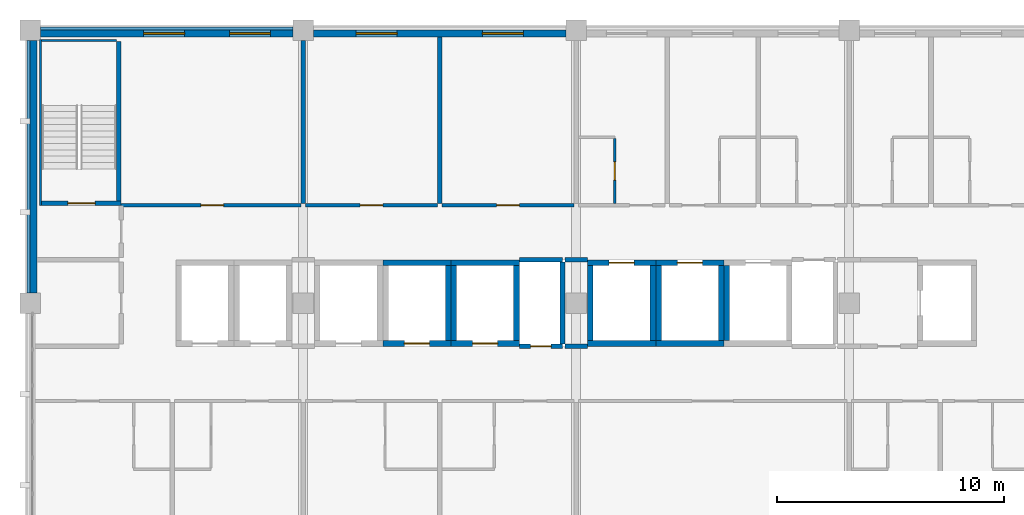
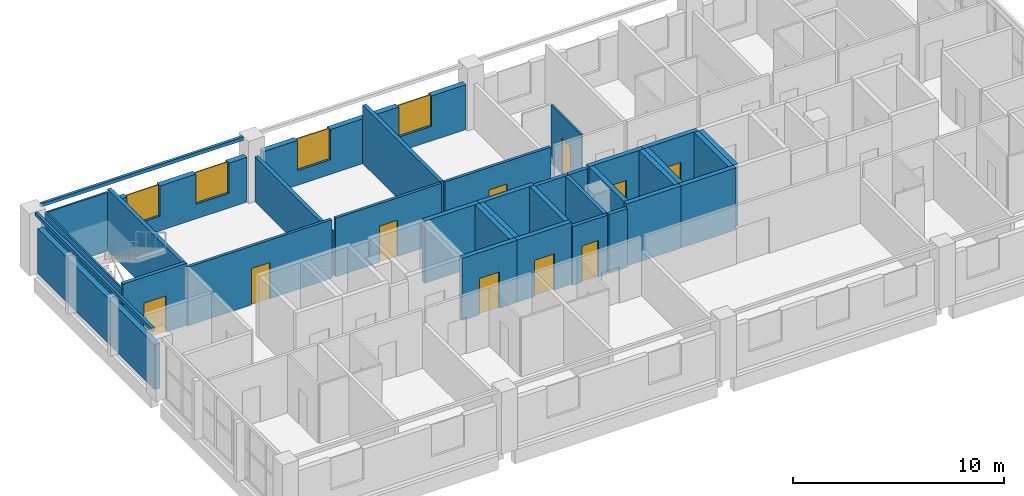
# One storey, part 7 of 11: 36 walls, 10 doors, 4 windows, 14 openings.
"""IFC4 building model written with IfcOpenShell, lengths in metres."""

from ifc_helpers import new_model, si_unit, direction, frame, frame_2d, origin, place, context, subcontext, project, spatial, rectangle, extrude, material, layer, layer_set, type_object, element, fill, save


model = new_model("IFC4")

# Units and contexts
model_context = context("Model", 3, precision=1e-05, world=origin(), true_north=direction((0.0, 1.0)))
body_context = subcontext(model_context, "Body", "Model", "MODEL_VIEW")
ifc_project = project(units=[si_unit("LENGTHUNIT", "METRE"), si_unit("AREAUNIT", "SQUARE_METRE"), si_unit("VOLUMEUNIT", "CUBIC_METRE"), si_unit("PLANEANGLEUNIT", "RADIAN"), si_unit("MASSUNIT", "GRAM", prefix="KILO")], contexts=[model_context])

# Site, building, storey
site_placement = place(None, origin())
site = spatial("IfcSite", under=ifc_project, at=site_placement, CompositionType="ELEMENT")
building_placement = place(site_placement, origin())
building = spatial("IfcBuilding", under=site, at=building_placement, Name="Lilac Gate Convention Centre", CompositionType="ELEMENT")
storey_placement = place(building_placement, frame((0.0, 0.0, 31.800048828125)))
storey = spatial("IfcBuildingStorey", under=building, at=storey_placement, Name="L07", CompositionType="ELEMENT", Elevation=31.800048828125)

# Walls
ifc_material_1 = material(Name="Concrete C50", Category="concrete")
ifc_layer_1 = layer(ifc_material_1, 0.10009765625)
ifc_layer_set_1 = layer_set([ifc_layer_1], Name="Concrete C50")
wall_type_1 = type_object("IfcWallType", Name="Core wall 100 C50", PredefinedType="SHEAR", material=ifc_layer_set_1)
wall_1_placement = place(storey_placement, frame((42.449951171875, 238.300048828125, 0.0), z_axis=(0.0, 0.0, 1.0), x_axis=(0.0, 1.0, 0.0)))
element("IfcWall", 1, at=wall_1_placement, inside=storey, type_object=wall_type_1, Name="CRW9 core wall TS-WX L07 1", PredefinedType="SHEAR", context=body_context, shape_type="SweptSolid", body=[
    extrude(rectangle(XDim=7.300048828125, YDim=0.10009765625, at=frame_2d((3.64990234375, 0.0))), origin(), (0.0, 0.0, 1.0), 3.39990234375),
])
wall_2_placement = place(storey_placement, frame((42.5, 245.550048828125, 0.0), z_axis=(0.0, 0.0, 1.0), x_axis=(1.0, 0.0, 0.0)))
element("IfcWall", 2, at=wall_2_placement, inside=storey, type_object=wall_type_1, Name="CRW9 core wall TS-WX L07 2", PredefinedType="SHEAR", context=body_context, shape_type="SweptSolid", body=[
    extrude(rectangle(XDim=3.300048828125, YDim=0.10009765625, at=frame_2d((1.64990234375, 0.0))), origin(), (0.0, 0.0, 1.0), 3.39990234375),
])

# Wall, opening, door
ifc_layer_2 = layer(ifc_material_1, 0.199951171875)
ifc_layer_set_2 = layer_set([ifc_layer_2], Name="Concrete C50")
wall_type_2 = type_object("IfcWallType", Name="Core wall 200 C50", PredefinedType="SHEAR", material=ifc_layer_set_2)
wall_3_placement = place(storey_placement, frame((42.5, 238.39990234375, 0.0), z_axis=(0.0, 0.0, 1.0), x_axis=(1.0, 0.0, 0.0)))
wall_3 = element("IfcWall", 3, at=wall_3_placement, inside=storey, type_object=wall_type_2, Name="CRW6 core wall TS-W L07 1", PredefinedType="SHEAR", context=body_context, shape_type="SweptSolid", body=[
    extrude(rectangle(XDim=3.5, YDim=0.199951171875, at=frame_2d((1.75, 0.0))), origin(), (0.0, 0.0, 1.0), 3.599853515625),
])
opening_1_placement = place(wall_3_placement, frame((1.14990234375, 0.0, 0.0)))
opening_1 = element("IfcOpeningElement", 4, at=opening_1_placement, cuts=wall_3, Name="Opening T07-045", PredefinedType="OPENING", context=body_context, shape_type="SweptSolid", body=[
    extrude(rectangle(XDim=1.199951171875, YDim=2.10009765625, at=frame_2d((0.60009765625, 1.050048828125))), frame((0.0, 0.10986328125, 0.0), z_axis=(0.0, -1.0, 0.0), x_axis=(1.0, 0.0, 0.0)), (0.0, 0.0, 1.0), 0.219970703125),
])
ifc_material_2 = material(Name="Steel Q235B", Category="steel")
door_type_1 = type_object("IfcDoorType", Name="Stair door 1200", OperationType="SINGLE_SWING_LEFT", PredefinedType="DOOR", material=ifc_material_2)
door_1_placement = place(opening_1_placement, origin())
door_1 = element("IfcDoor", 5, at=door_1_placement, inside=storey, type_object=door_type_1, Name="Stair door NW L07", OperationType="SINGLE_SWING_RIGHT", OverallHeight=2.10009765625, OverallWidth=1.199951171875, PredefinedType="DOOR", context=body_context, shape_type="SweptSolid", body=[
    extrude(rectangle(XDim=1.199951171875, YDim=2.10009765625, at=frame_2d((0.60009765625, 1.050048828125))), frame((0.0, 0.02490234375, 0.0), z_axis=(0.0, -1.0, 0.0), x_axis=(1.0, 0.0, 0.0)), (0.0, 0.0, 1.0), 0.050048828125),
])
fill(opening_1, door_1)

# Wall
wall_4_placement = place(storey_placement, frame((45.89990234375, 238.5, 0.0), z_axis=(0.0, 0.0, 1.0), x_axis=(0.0, 1.0, 0.0)))
element("IfcWall", 6, at=wall_4_placement, inside=storey, type_object=wall_type_2, Name="CRW6 core wall TS-W L07 2", PredefinedType="SHEAR", context=body_context, shape_type="SweptSolid", body=[
    extrude(rectangle(XDim=7.0, YDim=0.199951171875, at=frame_2d((3.5, 0.0))), origin(), (0.0, 0.0, 1.0), 3.599853515625),
])

# Wall, opening, door
ifc_layer_3 = layer(ifc_material_1, 0.25)
ifc_layer_set_3 = layer_set([ifc_layer_3], Name="Concrete C50")
wall_type_3 = type_object("IfcWallType", Name="Core wall 250 C50", PredefinedType="SHEAR", material=ifc_layer_set_3)
wall_5_placement = place(storey_placement, frame((57.5, 232.22509765625, 0.0), z_axis=(0.0, 0.0, 1.0), x_axis=(1.0, 0.0, 0.0)))
wall_5 = element("IfcWall", 7, at=wall_5_placement, inside=storey, type_object=wall_type_3, Name="CRW4 core wall TC L07 5", PredefinedType="SHEAR", context=body_context, shape_type="SweptSolid", body=[
    extrude(rectangle(XDim=3.0, YDim=0.25, at=frame_2d((1.5, 0.0))), origin(), (0.0, 0.0, 1.0), 3.599853515625),
])
opening_2_placement = place(wall_5_placement, frame((0.949951171875, 0.0, 0.0)))
opening_2 = element("IfcOpeningElement", 8, at=opening_2_placement, cuts=wall_5, Name="Opening T07-037", PredefinedType="OPENING", context=body_context, shape_type="SweptSolid", body=[
    extrude(rectangle(XDim=1.10009765625, YDim=2.10009765625, at=frame_2d((0.550048828125, 1.050048828125))), frame((0.0, 0.135009765625, 0.0), z_axis=(0.0, -1.0, 0.0), x_axis=(1.0, 0.0, 0.0)), (0.0, 0.0, 1.0), 0.27001953125),
])
ifc_material_3 = material(Name="Stainless steel 304", Category="steel")
door_type_2 = type_object("IfcDoorType", Name="Lift landing door 1100", OperationType="SLIDING_TO_LEFT", PredefinedType="DOOR", material=ifc_material_3)
door_2_placement = place(opening_2_placement, origin())
door_2 = element("IfcDoor", 9, at=door_2_placement, inside=storey, type_object=door_type_2, Name="Lift landing door TP2 L07", OperationType="SLIDING_TO_LEFT", OverallHeight=2.10009765625, OverallWidth=1.10009765625, PredefinedType="DOOR", context=body_context, shape_type="SweptSolid", body=[
    extrude(rectangle(XDim=1.10009765625, YDim=2.10009765625, at=frame_2d((0.550048828125, 1.050048828125))), frame((0.0, 0.02490234375, 0.0), z_axis=(0.0, -1.0, 0.0), x_axis=(1.0, 0.0, 0.0)), (0.0, 0.0, 1.0), 0.050048828125),
])
fill(opening_2, door_2)

# Walls
wall_6_placement = place(storey_placement, frame((57.5, 235.77490234375, 0.0), z_axis=(0.0, 0.0, 1.0), x_axis=(1.0, 0.0, 0.0)))
element("IfcWall", 10, at=wall_6_placement, inside=storey, type_object=wall_type_3, Name="CRW4 core wall TC L07 6", PredefinedType="SHEAR", context=body_context, shape_type="SweptSolid", body=[
    extrude(rectangle(XDim=3.0, YDim=0.25, at=frame_2d((1.5, 0.0))), origin(), (0.0, 0.0, 1.0), 3.599853515625),
])
wall_7_placement = place(storey_placement, frame((60.375, 232.35009765625, 0.0), z_axis=(0.0, 0.0, 1.0), x_axis=(0.0, 1.0, 0.0)))
element("IfcWall", 11, at=wall_7_placement, inside=storey, type_object=wall_type_3, Name="CRW4 core wall TC L07 8", PredefinedType="SHEAR", context=body_context, shape_type="SweptSolid", body=[
    extrude(rectangle(XDim=3.2998046875, YDim=0.25, at=frame_2d((1.64990234375, 0.0))), origin(), (0.0, 0.0, 1.0), 3.599853515625),
])

# Wall, opening, door
wall_8_placement = place(storey_placement, frame((60.5, 232.22509765625, 0.0), z_axis=(0.0, 0.0, 1.0), x_axis=(1.0, 0.0, 0.0)))
wall_8 = element("IfcWall", 12, at=wall_8_placement, inside=storey, type_object=wall_type_3, Name="CRW4 core wall TC L07 9", PredefinedType="SHEAR", context=body_context, shape_type="SweptSolid", body=[
    extrude(rectangle(XDim=3.0, YDim=0.25, at=frame_2d((1.5, 0.0))), origin(), (0.0, 0.0, 1.0), 3.599853515625),
])
opening_3_placement = place(wall_8_placement, frame((0.949951171875, 0.0, 0.0)))
opening_3 = element("IfcOpeningElement", 13, at=opening_3_placement, cuts=wall_8, Name="Opening T07-038", PredefinedType="OPENING", context=body_context, shape_type="SweptSolid", body=[
    extrude(rectangle(XDim=1.10009765625, YDim=2.10009765625, at=frame_2d((0.550048828125, 1.050048828125))), frame((0.0, 0.135009765625, 0.0), z_axis=(0.0, -1.0, 0.0), x_axis=(1.0, 0.0, 0.0)), (0.0, 0.0, 1.0), 0.27001953125),
])
door_3_placement = place(opening_3_placement, origin())
door_3 = element("IfcDoor", 14, at=door_3_placement, inside=storey, type_object=door_type_2, Name="Lift landing door TP3 L07", OperationType="SLIDING_TO_LEFT", OverallHeight=2.10009765625, OverallWidth=1.10009765625, PredefinedType="DOOR", context=body_context, shape_type="SweptSolid", body=[
    extrude(rectangle(XDim=1.10009765625, YDim=2.10009765625, at=frame_2d((0.550048828125, 1.050048828125))), frame((0.0, 0.02490234375, 0.0), z_axis=(0.0, -1.0, 0.0), x_axis=(1.0, 0.0, 0.0)), (0.0, 0.0, 1.0), 0.050048828125),
])
fill(opening_3, door_3)

# Walls
wall_9_placement = place(storey_placement, frame((60.5, 235.77490234375, 0.0), z_axis=(0.0, 0.0, 1.0), x_axis=(1.0, 0.0, 0.0)))
element("IfcWall", 15, at=wall_9_placement, inside=storey, type_object=wall_type_3, Name="CRW4 core wall TC L07 10", PredefinedType="SHEAR", context=body_context, shape_type="SweptSolid", body=[
    extrude(rectangle(XDim=3.0, YDim=0.25, at=frame_2d((1.5, 0.0))), origin(), (0.0, 0.0, 1.0), 3.599853515625),
])
for number, where, z_axis, x_axis, name in (
    (16, (60.625, 232.35009765625, 0.0), (0.0, 0.0, 1.0), (0.0, 1.0, 0.0), "CRW4 core wall TC L07 11"),
    (17, (63.375, 232.35009765625, 0.0), (0.0, 0.0, 1.0), (0.0, 1.0, 0.0), "CRW4 core wall TC L07 12"),
):
    element("IfcWall", number, at=place(storey_placement, frame(where, z_axis=z_axis, x_axis=x_axis)), inside=storey, type_object=wall_type_3, Name=name, PredefinedType="SHEAR", context=body_context, shape_type="SweptSolid", body=[
        extrude(rectangle(XDim=3.2998046875, YDim=0.25, at=frame_2d((1.64990234375, 0.0))), origin(), (0.0, 0.0, 1.0), 3.599853515625),
    ])
wall_10_placement = place(storey_placement, frame((66.5, 232.22509765625, 0.0), z_axis=(0.0, 0.0, 1.0), x_axis=(1.0, 0.0, 0.0)))
element("IfcWall", 18, at=wall_10_placement, inside=storey, type_object=wall_type_3, Name="CRW4 core wall TC L07 13", PredefinedType="SHEAR", context=body_context, shape_type="SweptSolid", body=[
    extrude(rectangle(XDim=3.0, YDim=0.25, at=frame_2d((1.5, 0.0))), origin(), (0.0, 0.0, 1.0), 3.599853515625),
])

# Wall, opening, door
wall_11_placement = place(storey_placement, frame((66.5, 235.77490234375, 0.0), z_axis=(0.0, 0.0, 1.0), x_axis=(1.0, 0.0, 0.0)))
wall_11 = element("IfcWall", 19, at=wall_11_placement, inside=storey, type_object=wall_type_3, Name="CRW4 core wall TC L07 14", PredefinedType="SHEAR", context=body_context, shape_type="SweptSolid", body=[
    extrude(rectangle(XDim=3.0, YDim=0.25, at=frame_2d((1.5, 0.0))), origin(), (0.0, 0.0, 1.0), 3.599853515625),
])
opening_4_placement = place(wall_11_placement, frame((0.949951171875, 0.0, 0.0)))
opening_4 = element("IfcOpeningElement", 20, at=opening_4_placement, cuts=wall_11, Name="Opening T07-039", PredefinedType="OPENING", context=body_context, shape_type="SweptSolid", body=[
    extrude(rectangle(XDim=1.10009765625, YDim=2.10009765625, at=frame_2d((0.550048828125, 1.050048828125))), frame((0.0, 0.135009765625, 0.0), z_axis=(0.0, -1.0, 0.0), x_axis=(1.0, 0.0, 0.0)), (0.0, 0.0, 1.0), 0.27001953125),
])
door_4_placement = place(opening_4_placement, origin())
door_4 = element("IfcDoor", 21, at=door_4_placement, inside=storey, type_object=door_type_2, Name="Lift landing door TP4 L07", OperationType="SLIDING_TO_LEFT", OverallHeight=2.10009765625, OverallWidth=1.10009765625, PredefinedType="DOOR", context=body_context, shape_type="SweptSolid", body=[
    extrude(rectangle(XDim=1.10009765625, YDim=2.10009765625, at=frame_2d((0.550048828125, 1.050048828125))), frame((0.0, 0.02490234375, 0.0), z_axis=(0.0, -1.0, 0.0), x_axis=(1.0, 0.0, 0.0)), (0.0, 0.0, 1.0), 0.050048828125),
])
fill(opening_4, door_4)

# Walls
for number, where, z_axis, x_axis, name in (
    (22, (66.625, 232.35009765625, 0.0), (0.0, 0.0, 1.0), (0.0, 1.0, 0.0), "CRW4 core wall TC L07 15"),
    (23, (69.375, 232.35009765625, 0.0), (0.0, 0.0, 1.0), (0.0, 1.0, 0.0), "CRW4 core wall TC L07 16"),
):
    element("IfcWall", number, at=place(storey_placement, frame(where, z_axis=z_axis, x_axis=x_axis)), inside=storey, type_object=wall_type_3, Name=name, PredefinedType="SHEAR", context=body_context, shape_type="SweptSolid", body=[
        extrude(rectangle(XDim=3.2998046875, YDim=0.25, at=frame_2d((1.64990234375, 0.0))), origin(), (0.0, 0.0, 1.0), 3.599853515625),
    ])
wall_12_placement = place(storey_placement, frame((69.5, 232.22509765625, 0.0), z_axis=(0.0, 0.0, 1.0), x_axis=(1.0, 0.0, 0.0)))
element("IfcWall", 24, at=wall_12_placement, inside=storey, type_object=wall_type_3, Name="CRW4 core wall TC L07 17", PredefinedType="SHEAR", context=body_context, shape_type="SweptSolid", body=[
    extrude(rectangle(XDim=3.0, YDim=0.25, at=frame_2d((1.5, 0.0))), origin(), (0.0, 0.0, 1.0), 3.599853515625),
])

# Wall, opening, door
wall_13_placement = place(storey_placement, frame((69.5, 235.77490234375, 0.0), z_axis=(0.0, 0.0, 1.0), x_axis=(1.0, 0.0, 0.0)))
wall_13 = element("IfcWall", 25, at=wall_13_placement, inside=storey, type_object=wall_type_3, Name="CRW4 core wall TC L07 18", PredefinedType="SHEAR", context=body_context, shape_type="SweptSolid", body=[
    extrude(rectangle(XDim=3.0, YDim=0.25, at=frame_2d((1.5, 0.0))), origin(), (0.0, 0.0, 1.0), 3.599853515625),
])
opening_5_placement = place(wall_13_placement, frame((0.949951171875, 0.0, 0.0)))
opening_5 = element("IfcOpeningElement", 26, at=opening_5_placement, cuts=wall_13, Name="Opening T07-040", PredefinedType="OPENING", context=body_context, shape_type="SweptSolid", body=[
    extrude(rectangle(XDim=1.10009765625, YDim=2.10009765625, at=frame_2d((0.550048828125, 1.050048828125))), frame((0.0, 0.135009765625, 0.0), z_axis=(0.0, -1.0, 0.0), x_axis=(1.0, 0.0, 0.0)), (0.0, 0.0, 1.0), 0.27001953125),
])
door_5_placement = place(opening_5_placement, origin())
door_5 = element("IfcDoor", 27, at=door_5_placement, inside=storey, type_object=door_type_2, Name="Lift landing door TP5 L07", OperationType="SLIDING_TO_LEFT", OverallHeight=2.10009765625, OverallWidth=1.10009765625, PredefinedType="DOOR", context=body_context, shape_type="SweptSolid", body=[
    extrude(rectangle(XDim=1.10009765625, YDim=2.10009765625, at=frame_2d((0.550048828125, 1.050048828125))), frame((0.0, 0.02490234375, 0.0), z_axis=(0.0, -1.0, 0.0), x_axis=(1.0, 0.0, 0.0)), (0.0, 0.0, 1.0), 0.050048828125),
])
fill(opening_5, door_5)

# Walls
for number, where, z_axis, x_axis, name in (
    (28, (69.625, 232.35009765625, 0.0), (0.0, 0.0, 1.0), (0.0, 1.0, 0.0), "CRW4 core wall TC L07 19"),
    (29, (72.375, 232.35009765625, 0.0), (0.0, 0.0, 1.0), (0.0, 1.0, 0.0), "CRW4 core wall TC L07 20"),
    (30, (72.625, 232.35009765625, 0.0), (0.0, 0.0, 1.0), (0.0, 1.0, 0.0), "CRW4 core wall TC L07 23"),
):
    element("IfcWall", number, at=place(storey_placement, frame(where, z_axis=z_axis, x_axis=x_axis)), inside=storey, type_object=wall_type_3, Name=name, PredefinedType="SHEAR", context=body_context, shape_type="SweptSolid", body=[
        extrude(rectangle(XDim=3.2998046875, YDim=0.25, at=frame_2d((1.64990234375, 0.0))), origin(), (0.0, 0.0, 1.0), 3.599853515625),
    ])

# Wall, opening, door
ifc_material_4 = material(Name="Gypsum board on steel stud", Category="steel")
ifc_layer_4 = layer(ifc_material_4, 0.14990234375)
ifc_layer_set_4 = layer_set([ifc_layer_4], Name="Gypsum board on steel stud")
wall_type_4 = type_object("IfcWallType", Name="Corridor wall 150", PredefinedType="PARTITIONING", material=ifc_layer_set_4)
wall_14_placement = place(storey_placement, frame((46.0, 238.300048828125, 0.0), z_axis=(0.0, 0.0, 1.0), x_axis=(1.0, 0.0, 0.0)))
wall_14 = element("IfcWall", 31, at=wall_14_placement, inside=storey, type_object=wall_type_4, Name="Corridor wall 150 front 0708", PredefinedType="PARTITIONING", context=body_context, shape_type="SweptSolid", body=[
    extrude(rectangle(XDim=7.89990234375, YDim=0.14990234375, at=frame_2d((3.949951171875, 0.0))), origin(), (0.0, 0.0, 1.0), 3.39990234375),
])
opening_6_placement = place(wall_14_placement, frame((3.5, 0.0, 0.0)))
opening_6 = element("IfcOpeningElement", 32, at=opening_6_placement, cuts=wall_14, Name="Opening T07-021", PredefinedType="OPENING", context=body_context, shape_type="SweptSolid", body=[
    extrude(rectangle(XDim=1.0, YDim=2.10009765625, at=frame_2d((0.5, 1.050048828125))), frame((0.0, 0.0849609375, 0.0), z_axis=(0.0, -1.0, 0.0), x_axis=(1.0, 0.0, 0.0)), (0.0, 0.0, 1.0), 0.169921875),
])
ifc_material_5 = material(Name="Timber", Category="wood")
door_type_3 = type_object("IfcDoorType", Name="Room door 1000", OperationType="SINGLE_SWING_LEFT", PredefinedType="DOOR", material=ifc_material_5)
door_6_placement = place(opening_6_placement, origin())
door_6 = element("IfcDoor", 33, at=door_6_placement, inside=storey, type_object=door_type_3, Name="Business Centre door", OperationType="SINGLE_SWING_RIGHT", OverallHeight=2.10009765625, OverallWidth=1.0, PredefinedType="DOOR", context=body_context, shape_type="SweptSolid", body=[
    extrude(rectangle(XDim=1.0, YDim=2.10009765625, at=frame_2d((0.5, 1.050048828125))), frame((0.0, 0.02490234375, 0.0), z_axis=(0.0, -1.0, 0.0), x_axis=(1.0, 0.0, 0.0)), (0.0, 0.0, 1.0), 0.050048828125),
])
fill(opening_6, door_6)

wall_15_placement = place(storey_placement, frame((54.10009765625, 238.300048828125, 0.0), z_axis=(0.0, 0.0, 1.0), x_axis=(1.0, 0.0, 0.0)))
wall_15 = element("IfcWall", 34, at=wall_15_placement, inside=storey, type_object=wall_type_4, Name="Corridor wall 150 front 0709", PredefinedType="PARTITIONING", context=body_context, shape_type="SweptSolid", body=[
    extrude(rectangle(XDim=5.7998046875, YDim=0.14990234375, at=frame_2d((2.89990234375, 0.0))), origin(), (0.0, 0.0, 1.0), 3.39990234375),
])
opening_7_placement = place(wall_15_placement, frame((2.39990234375, 0.0, 0.0)))
opening_7 = element("IfcOpeningElement", 35, at=opening_7_placement, cuts=wall_15, Name="Opening T07-022", PredefinedType="OPENING", context=body_context, shape_type="SweptSolid", body=[
    extrude(rectangle(XDim=1.0, YDim=2.10009765625, at=frame_2d((0.5, 1.050048828125))), frame((0.0, 0.0849609375, 0.0), z_axis=(0.0, -1.0, 0.0), x_axis=(1.0, 0.0, 0.0)), (0.0, 0.0, 1.0), 0.169921875),
])
door_7_placement = place(opening_7_placement, origin())
door_7 = element("IfcDoor", 36, at=door_7_placement, inside=storey, type_object=door_type_3, Name="Meeting Room door", OperationType="SINGLE_SWING_LEFT", OverallHeight=2.10009765625, OverallWidth=1.0, PredefinedType="DOOR", context=body_context, shape_type="SweptSolid", body=[
    extrude(rectangle(XDim=1.0, YDim=2.10009765625, at=frame_2d((0.5, 1.050048828125))), frame((0.0, 0.02490234375, 0.0), z_axis=(0.0, -1.0, 0.0), x_axis=(1.0, 0.0, 0.0)), (0.0, 0.0, 1.0), 0.050048828125),
])
fill(opening_7, door_7)

wall_16_placement = place(storey_placement, frame((60.10009765625, 238.300048828125, 0.0), z_axis=(0.0, 0.0, 1.0), x_axis=(1.0, 0.0, 0.0)))
wall_16 = element("IfcWall", 37, at=wall_16_placement, inside=storey, type_object=wall_type_4, Name="Corridor wall 150 front 0710", PredefinedType="PARTITIONING", context=body_context, shape_type="SweptSolid", body=[
    extrude(rectangle(XDim=5.7998046875, YDim=0.14990234375, at=frame_2d((2.89990234375, 0.0))), origin(), (0.0, 0.0, 1.0), 3.39990234375),
])
opening_8_placement = place(wall_16_placement, frame((2.39990234375, 0.0, 0.0)))
opening_8 = element("IfcOpeningElement", 38, at=opening_8_placement, cuts=wall_16, Name="Opening T07-023", PredefinedType="OPENING", context=body_context, shape_type="SweptSolid", body=[
    extrude(rectangle(XDim=1.0, YDim=2.10009765625, at=frame_2d((0.5, 1.050048828125))), frame((0.0, 0.0849609375, 0.0), z_axis=(0.0, -1.0, 0.0), x_axis=(1.0, 0.0, 0.0)), (0.0, 0.0, 1.0), 0.169921875),
])
door_8_placement = place(opening_8_placement, origin())
door_8 = element("IfcDoor", 39, at=door_8_placement, inside=storey, type_object=door_type_3, Name="Meeting Room door", OperationType="SINGLE_SWING_LEFT", OverallHeight=2.10009765625, OverallWidth=1.0, PredefinedType="DOOR", context=body_context, shape_type="SweptSolid", body=[
    extrude(rectangle(XDim=1.0, YDim=2.10009765625, at=frame_2d((0.5, 1.050048828125))), frame((0.0, 0.02490234375, 0.0), z_axis=(0.0, -1.0, 0.0), x_axis=(1.0, 0.0, 0.0)), (0.0, 0.0, 1.0), 0.050048828125),
])
fill(opening_8, door_8)

ifc_layer_5 = layer(ifc_material_4, 0.10009765625)
ifc_layer_set_5 = layer_set([ifc_layer_5], Name="Gypsum board on steel stud")
wall_type_5 = type_object("IfcWallType", Name="En-suite wall 100", PredefinedType="PARTITIONING", material=ifc_layer_set_5)
wall_17_placement = place(storey_placement, frame((67.699951171875, 241.25, 0.0), z_axis=(0.0, 0.0, 1.0), x_axis=(0.0, -1.0, 0.0)))
wall_17 = element("IfcWall", 40, at=wall_17_placement, inside=storey, type_object=wall_type_5, Name="En-suite wall 100 bath side 0711", PredefinedType="PARTITIONING", context=body_context, shape_type="SweptSolid", body=[
    extrude(rectangle(XDim=2.875, YDim=0.10009765625, at=frame_2d((1.4375, 0.0))), origin(), (0.0, 0.0, 1.0), 3.39990234375),
])
opening_9_placement = place(wall_17_placement, frame((1.03759765625, 0.0, 0.0)))
opening_9 = element("IfcOpeningElement", 41, at=opening_9_placement, cuts=wall_17, Name="Opening T07-025", PredefinedType="OPENING", context=body_context, shape_type="SweptSolid", body=[
    extrude(rectangle(XDim=0.800048828125, YDim=2.10009765625, at=frame_2d((0.39990234375, 1.050048828125))), frame((0.0, 0.06005859375, 0.0), z_axis=(0.0, -1.0, 0.0), x_axis=(1.0, 0.0, 0.0)), (0.0, 0.0, 1.0), 0.1201171875),
])
door_type_4 = type_object("IfcDoorType", Name="En-suite door 800", OperationType="SINGLE_SWING_LEFT", PredefinedType="DOOR", material=ifc_material_5)
door_9_placement = place(opening_9_placement, origin())
door_9 = element("IfcDoor", 42, at=door_9_placement, inside=storey, type_object=door_type_4, Name="En-suite door 0711", OperationType="SINGLE_SWING_RIGHT", OverallHeight=2.10009765625, OverallWidth=0.800048828125, PredefinedType="DOOR", context=body_context, shape_type="SweptSolid", body=[
    extrude(rectangle(XDim=0.800048828125, YDim=2.10009765625, at=frame_2d((0.39990234375, 1.050048828125))), frame((0.0, 0.02490234375, 0.0), z_axis=(0.0, -1.0, 0.0), x_axis=(1.0, 0.0, 0.0)), (0.0, 0.0, 1.0), 0.050048828125),
])
fill(opening_9, door_9)

# Walls
ifc_layer_6 = layer(ifc_material_4, 0.199951171875)
ifc_layer_set_6 = layer_set([ifc_layer_6], Name="Gypsum board on steel stud")
wall_type_6 = type_object("IfcWallType", Name="Guest room party wall 200", PredefinedType="PARTITIONING", material=ifc_layer_set_6)
wall_18_placement = place(storey_placement, frame((54.0, 245.550048828125, 0.0), z_axis=(0.0, 0.0, 1.0), x_axis=(0.0, -1.0, 0.0)))
element("IfcWall", 43, at=wall_18_placement, inside=storey, type_object=wall_type_6, Name="Guest room party wall 200 party 54.0", PredefinedType="PARTITIONING", context=body_context, shape_type="SweptSolid", body=[
    extrude(rectangle(XDim=7.175048828125, YDim=0.199951171875, at=frame_2d((3.58740234375, 0.0))), origin(), (0.0, 0.0, 1.0), 2.599853515625),
])
wall_19_placement = place(storey_placement, frame((60.0, 245.7001953125, 0.0), z_axis=(0.0, 0.0, 1.0), x_axis=(0.0, -1.0, 0.0)))
element("IfcWall", 44, at=wall_19_placement, inside=storey, type_object=wall_type_6, Name="Guest room party wall 200 party 60.0", PredefinedType="PARTITIONING", context=body_context, shape_type="SweptSolid", body=[
    extrude(rectangle(XDim=7.3251953125, YDim=0.199951171875, at=frame_2d((3.66259765625, 0.0))), origin(), (0.0, 0.0, 1.0), 3.39990234375),
])
ifc_material_6 = material(Name="Concrete C40 precast", Category="concrete")
ifc_layer_7 = layer(ifc_material_6, 0.1298828125)
ifc_material_7 = material(Name="Terracotta glazed cladding", Category="masonry")
ifc_layer_8 = layer(ifc_material_7, 0.02001953125)
ifc_layer_set_7 = layer_set([ifc_layer_7, ifc_layer_8], Name="Concrete C40 precast, Terracotta glazed cladding")
wall_type_7 = type_object("IfcWallType", Name="Precast band terracotta 150", PredefinedType="STANDARD", material=ifc_layer_set_7)
for number, where, z_axis, x_axis, name in (
    (45, (53.550048828125, 246.074951171875, 3.39990234375), (0.0, 0.0, 1.0), (-1.0, 0.0, 0.0), "Precast band N L07 4"),
    (46, (41.925048828125, 245.550048828125, 3.39990234375), (0.0, 0.0, 1.0), (0.0, -1.0, 0.0), "Precast band W L07 1"),
):
    element("IfcWall", number, at=place(storey_placement, frame(where, z_axis=z_axis, x_axis=x_axis)), inside=storey, type_object=wall_type_7, Name=name, PredefinedType="STANDARD", context=body_context, shape_type="SweptSolid", body=[
        extrude(rectangle(XDim=11.10009765625, YDim=0.14990234375, at=frame_2d((5.550048828125, 0.0))), origin(), (0.0, 0.0, 1.0), 0.199951171875),
    ])

# Wall, openings, windows
ifc_layer_9 = layer(ifc_material_7, 0.02001953125)
ifc_layer_10 = layer(ifc_material_6, 0.06005859375)
ifc_material_8 = material(Name="Ventilated air cavity")
ifc_layer_11 = layer(ifc_material_8, 0.030029296875)
ifc_material_9 = material(Name="Mineral wool insulation")
ifc_layer_12 = layer(ifc_material_9, 0.1201171875)
ifc_material_10 = material(Name="Steel stud Q345 and gypsum lining", Category="steel")
ifc_layer_13 = layer(ifc_material_10, 0.070068359375)
ifc_layer_set_8 = layer_set([ifc_layer_9, ifc_layer_10, ifc_layer_11, ifc_layer_12, ifc_layer_13], Name="Terracotta glazed cladding, Concrete C40 precast, Ventilated air cavity, Mineral wool insulation, Steel stud Q345 and gypsum lining")
wall_type_8 = type_object("IfcWallType", Name="Precast panel wall terracotta 300", PredefinedType="STANDARD", material=ifc_layer_set_8)
wall_20_placement = place(storey_placement, frame((65.550048828125, 245.85009765625, 0.0), z_axis=(0.0, 0.0, 1.0), x_axis=(-1.0, 0.0, 0.0)))
wall_20 = element("IfcWall", 47, at=wall_20_placement, inside=storey, type_object=wall_type_8, Name="External wall N L07 3", PredefinedType="STANDARD", context=body_context, shape_type="SweptSolid", body=[
    extrude(rectangle(XDim=11.10009765625, YDim=0.300048828125, at=frame_2d((5.550048828125, 0.0))), origin(), (0.0, 0.0, 1.0), 2.599853515625),
])
opening_10_placement = place(wall_20_placement, frame((7.425048828125, 0.0, 0.85009765625)))
opening_10 = element("IfcOpeningElement", 48, at=opening_10_placement, cuts=wall_20, Name="Opening W1", PredefinedType="OPENING", context=body_context, shape_type="SweptSolid", body=[
    extrude(rectangle(XDim=1.800048828125, YDim=1.75, at=frame_2d((0.89990234375, 0.875))), frame((0.0, 0.159912109375, 0.0), z_axis=(0.0, -1.0, 0.0), x_axis=(1.0, 0.0, 0.0)), (0.0, 0.0, 1.0), 0.320068359375),
])
opening_11_placement = place(wall_20_placement, frame((1.875, 0.0, 0.85009765625)))
opening_11 = element("IfcOpeningElement", 49, at=opening_11_placement, cuts=wall_20, Name="Opening W1", PredefinedType="OPENING", context=body_context, shape_type="SweptSolid", body=[
    extrude(rectangle(XDim=1.800048828125, YDim=1.75, at=frame_2d((0.89990234375, 0.875))), frame((0.0, 0.159912109375, 0.0), z_axis=(0.0, -1.0, 0.0), x_axis=(1.0, 0.0, 0.0)), (0.0, 0.0, 1.0), 0.320068359375),
])
ifc_material_11 = material(Name="Aluminium framed double glazing", Category="aluminium")
window_type = type_object("IfcWindowType", Name="Guest room window 1800 x 1750", PartitioningType="DOUBLE_PANEL_VERTICAL", PredefinedType="WINDOW", material=ifc_material_11)
window_1_placement = place(opening_10_placement, origin())
window_1 = element("IfcWindow", 50, at=window_1_placement, inside=storey, type_object=window_type, Name="Window Guest N L07", OverallHeight=1.75, OverallWidth=1.800048828125, PartitioningType="SINGLE_PANEL", PredefinedType="WINDOW", context=body_context, shape_type="SweptSolid", body=[
    extrude(rectangle(XDim=1.800048828125, YDim=1.75, at=frame_2d((0.89990234375, 0.875))), frame((0.0, 0.030029296875, 0.0), z_axis=(0.0, -1.0, 0.0), x_axis=(1.0, 0.0, 0.0)), (0.0, 0.0, 1.0), 0.06005859375),
])
fill(opening_10, window_1)
window_2_placement = place(opening_11_placement, origin())
window_2 = element("IfcWindow", 51, at=window_2_placement, inside=storey, type_object=window_type, Name="Window Guest N L07", OverallHeight=1.75, OverallWidth=1.800048828125, PartitioningType="SINGLE_PANEL", PredefinedType="WINDOW", context=body_context, shape_type="SweptSolid", body=[
    extrude(rectangle(XDim=1.800048828125, YDim=1.75, at=frame_2d((0.89990234375, 0.875))), frame((0.0, 0.030029296875, 0.0), z_axis=(0.0, -1.0, 0.0), x_axis=(1.0, 0.0, 0.0)), (0.0, 0.0, 1.0), 0.06005859375),
])
fill(opening_11, window_2)

wall_21_placement = place(storey_placement, frame((53.550048828125, 245.85009765625, 0.0), z_axis=(0.0, 0.0, 1.0), x_axis=(-1.0, 0.0, 0.0)))
wall_21 = element("IfcWall", 52, at=wall_21_placement, inside=storey, type_object=wall_type_8, Name="External wall N L07 4", PredefinedType="STANDARD", context=body_context, shape_type="SweptSolid", body=[
    extrude(rectangle(XDim=11.10009765625, YDim=0.300048828125, at=frame_2d((5.550048828125, 0.0))), origin(), (0.0, 0.0, 1.0), 2.599853515625),
])
opening_12_placement = place(wall_21_placement, frame((0.987548828125, 0.0, 0.85009765625)))
opening_12 = element("IfcOpeningElement", 53, at=opening_12_placement, cuts=wall_21, Name="Opening W1", PredefinedType="OPENING", context=body_context, shape_type="SweptSolid", body=[
    extrude(rectangle(XDim=1.800048828125, YDim=1.75, at=frame_2d((0.89990234375, 0.875))), frame((0.0, 0.159912109375, 0.0), z_axis=(0.0, -1.0, 0.0), x_axis=(1.0, 0.0, 0.0)), (0.0, 0.0, 1.0), 0.320068359375),
])
opening_13_placement = place(wall_21_placement, frame((4.762451171875, 0.0, 0.85009765625)))
opening_13 = element("IfcOpeningElement", 54, at=opening_13_placement, cuts=wall_21, Name="Opening W1", PredefinedType="OPENING", context=body_context, shape_type="SweptSolid", body=[
    extrude(rectangle(XDim=1.800048828125, YDim=1.75, at=frame_2d((0.89990234375, 0.875))), frame((0.0, 0.159912109375, 0.0), z_axis=(0.0, -1.0, 0.0), x_axis=(1.0, 0.0, 0.0)), (0.0, 0.0, 1.0), 0.320068359375),
])
window_3_placement = place(opening_12_placement, origin())
window_3 = element("IfcWindow", 55, at=window_3_placement, inside=storey, type_object=window_type, Name="Window Guest N L07", OverallHeight=1.75, OverallWidth=1.800048828125, PartitioningType="SINGLE_PANEL", PredefinedType="WINDOW", context=body_context, shape_type="SweptSolid", body=[
    extrude(rectangle(XDim=1.800048828125, YDim=1.75, at=frame_2d((0.89990234375, 0.875))), frame((0.0, 0.030029296875, 0.0), z_axis=(0.0, -1.0, 0.0), x_axis=(1.0, 0.0, 0.0)), (0.0, 0.0, 1.0), 0.06005859375),
])
fill(opening_12, window_3)
window_4_placement = place(opening_13_placement, origin())
window_4 = element("IfcWindow", 56, at=window_4_placement, inside=storey, type_object=window_type, Name="Window Guest N L07", OverallHeight=1.75, OverallWidth=1.800048828125, PartitioningType="SINGLE_PANEL", PredefinedType="WINDOW", context=body_context, shape_type="SweptSolid", body=[
    extrude(rectangle(XDim=1.800048828125, YDim=1.75, at=frame_2d((0.89990234375, 0.875))), frame((0.0, 0.030029296875, 0.0), z_axis=(0.0, -1.0, 0.0), x_axis=(1.0, 0.0, 0.0)), (0.0, 0.0, 1.0), 0.06005859375),
])
fill(opening_13, window_4)

# Wall
wall_22_placement = place(storey_placement, frame((42.14990234375, 245.550048828125, 0.0), z_axis=(0.0, 0.0, 1.0), x_axis=(0.0, -1.0, 0.0)))
element("IfcWall", 57, at=wall_22_placement, inside=storey, type_object=wall_type_8, Name="External wall W L07 1", PredefinedType="STANDARD", context=body_context, shape_type="SweptSolid", body=[
    extrude(rectangle(XDim=11.10009765625, YDim=0.300048828125, at=frame_2d((5.550048828125, 0.0))), origin(), (0.0, 0.0, 1.0), 2.599853515625),
])

# Wall, opening, door
ifc_layer_14 = layer(ifc_material_4, 0.199951171875)
ifc_layer_set_9 = layer_set([ifc_layer_14], Name="Gypsum board on steel stud")
wall_type_9 = type_object("IfcWallType", Name="Riser and store wall 200", PredefinedType="PARTITIONING", material=ifc_layer_set_9)
wall_23_placement = place(storey_placement, frame((63.5, 232.10009765625, 0.0), z_axis=(0.0, 0.0, 1.0), x_axis=(1.0, 0.0, 0.0)))
wall_23 = element("IfcWall", 58, at=wall_23_placement, inside=storey, type_object=wall_type_9, Name="Riser and store wall 200 RS1-S", PredefinedType="PARTITIONING", context=body_context, shape_type="SweptSolid", body=[
    extrude(rectangle(XDim=1.89990234375, YDim=0.199951171875, at=frame_2d((0.949951171875, 0.0))), origin(), (0.0, 0.0, 1.0), 3.39990234375),
])
opening_14_placement = place(wall_23_placement, frame((0.5, 0.0, 0.0)))
opening_14 = element("IfcOpeningElement", 59, at=opening_14_placement, cuts=wall_23, Name="Opening T07-002", PredefinedType="OPENING", context=body_context, shape_type="SweptSolid", body=[
    extrude(rectangle(XDim=0.89990234375, YDim=2.10009765625, at=frame_2d((0.449951171875, 1.050048828125))), frame((0.0, 0.10986328125, 0.0), z_axis=(0.0, -1.0, 0.0), x_axis=(1.0, 0.0, 0.0)), (0.0, 0.0, 1.0), 0.219970703125),
])
door_type_5 = type_object("IfcDoorType", Name="Riser and store door 900", OperationType="SINGLE_SWING_LEFT", PredefinedType="DOOR", material=ifc_material_2)
door_10_placement = place(opening_14_placement, origin())
door_10 = element("IfcDoor", 60, at=door_10_placement, inside=storey, type_object=door_type_5, Name="Riser room door", OperationType="SINGLE_SWING_RIGHT", OverallHeight=2.10009765625, OverallWidth=0.89990234375, PredefinedType="DOOR", context=body_context, shape_type="SweptSolid", body=[
    extrude(rectangle(XDim=0.89990234375, YDim=2.10009765625, at=frame_2d((0.449951171875, 1.050048828125))), frame((0.0, 0.02490234375, 0.0), z_axis=(0.0, -1.0, 0.0), x_axis=(1.0, 0.0, 0.0)), (0.0, 0.0, 1.0), 0.050048828125),
])
fill(opening_14, door_10)

# Walls
wall_24_placement = place(storey_placement, frame((65.5, 232.10009765625, 0.0), z_axis=(0.0, 0.0, 1.0), x_axis=(1.0, 0.0, 0.0)))
element("IfcWall", 61, at=wall_24_placement, inside=storey, type_object=wall_type_9, Name="Riser and store wall 200 NICHE2-S", PredefinedType="PARTITIONING", context=body_context, shape_type="SweptSolid", body=[
    extrude(rectangle(XDim=1.0, YDim=0.199951171875, at=frame_2d((0.5, 0.0))), origin(), (0.0, 0.0, 1.0), 3.39990234375),
])
wall_25_placement = place(storey_placement, frame((63.5, 235.89990234375, 0.0), z_axis=(0.0, 0.0, 1.0), x_axis=(1.0, 0.0, 0.0)))
element("IfcWall", 62, at=wall_25_placement, inside=storey, type_object=wall_type_9, Name="Riser and store wall 200 RS1-N", PredefinedType="PARTITIONING", context=body_context, shape_type="SweptSolid", body=[
    extrude(rectangle(XDim=1.89990234375, YDim=0.199951171875, at=frame_2d((0.949951171875, 0.0))), origin(), (0.0, 0.0, 1.0), 3.39990234375),
])
wall_26_placement = place(storey_placement, frame((65.5, 235.89990234375, 0.0), z_axis=(0.0, 0.0, 1.0), x_axis=(1.0, 0.0, 0.0)))
element("IfcWall", 63, at=wall_26_placement, inside=storey, type_object=wall_type_9, Name="Riser and store wall 200 NICHE2-N", PredefinedType="PARTITIONING", context=body_context, shape_type="SweptSolid", body=[
    extrude(rectangle(XDim=1.0, YDim=0.199951171875, at=frame_2d((0.5, 0.0))), origin(), (0.0, 0.0, 1.0), 3.39990234375),
])
wall_27_placement = place(storey_placement, frame((65.39990234375, 232.199951171875, 0.0), z_axis=(0.0, 0.0, 1.0), x_axis=(0.0, 1.0, 0.0)))
element("IfcWall", 64, at=wall_27_placement, inside=storey, type_object=wall_type_9, Name="Riser and store wall 200 RS1-E", PredefinedType="PARTITIONING", context=body_context, shape_type="SweptSolid", body=[
    extrude(rectangle(XDim=3.60009765625, YDim=0.199951171875, at=frame_2d((1.800048828125, 0.0))), origin(), (0.0, 0.0, 1.0), 3.39990234375),
])

save(model, "model.ifc")
